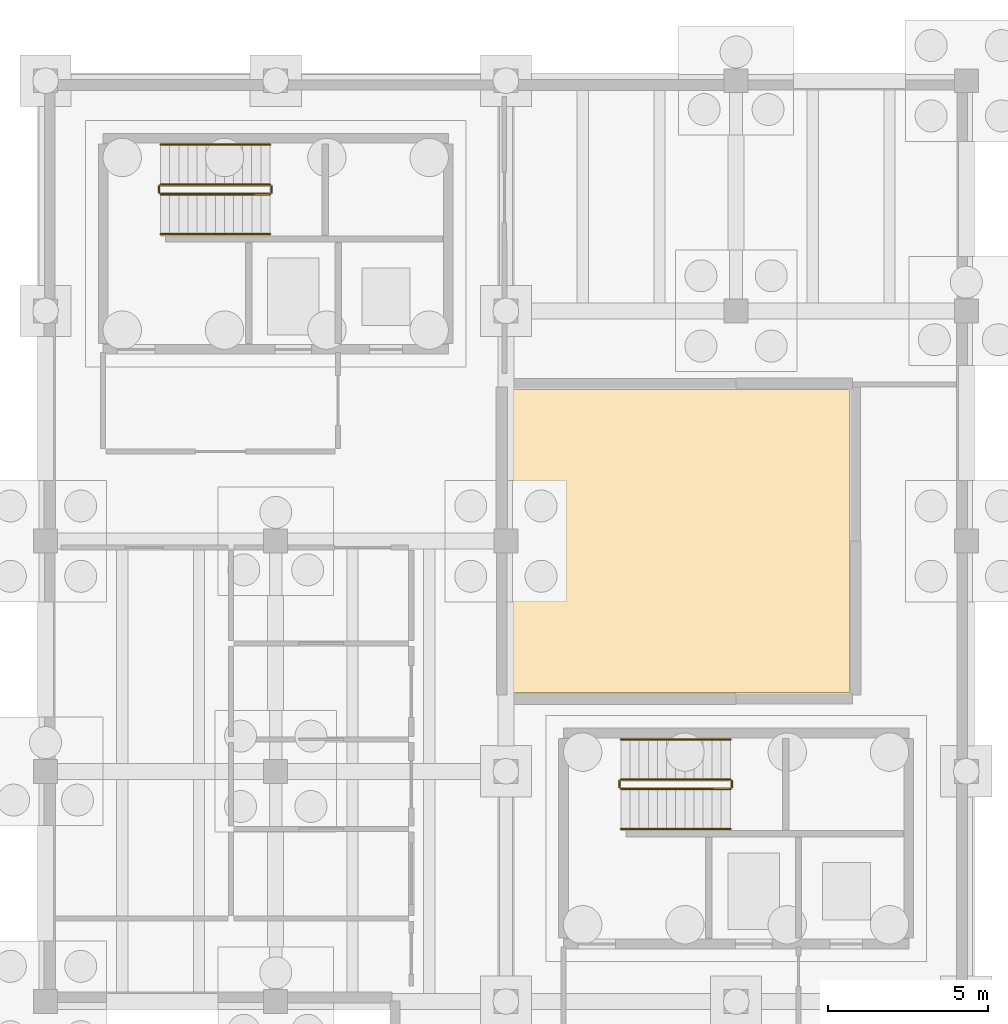
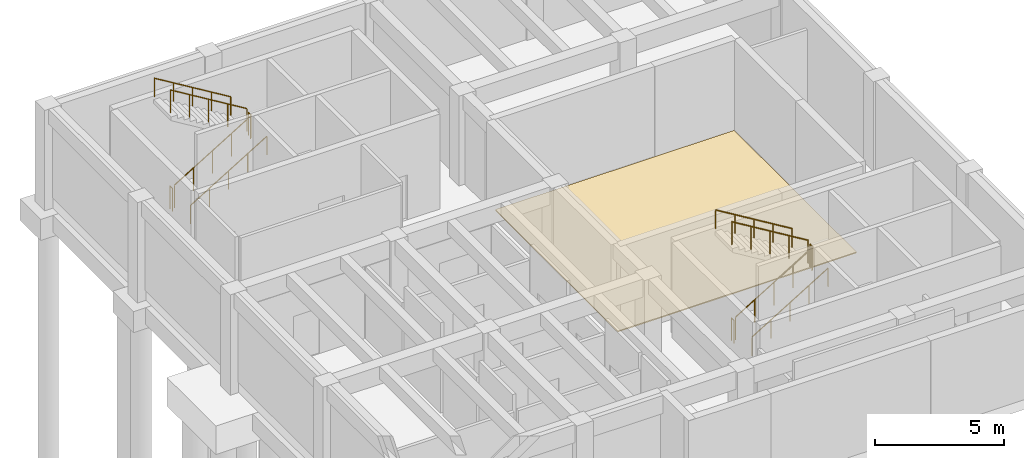
# One storey, part 27 of 28: 12 railings, 1 covering.
"""IFC4 building model written with IfcOpenShell, lengths in metres."""

from ifc_helpers import new_model, si_unit, direction, frame, origin, origin_2d, place, context, subcontext, project, spatial, polyline, circle, outline, extrude, material, layer, layer_set, type_object, element, save


model = new_model("IFC4")

# Units and contexts
model_context = context("Model", 3, precision=1e-05, world=origin(), true_north=direction((0.0, 1.0)))
body_context = subcontext(model_context, "Body", "Model", "MODEL_VIEW")
ifc_project = project(units=[si_unit("LENGTHUNIT", "METRE"), si_unit("AREAUNIT", "SQUARE_METRE"), si_unit("VOLUMEUNIT", "CUBIC_METRE"), si_unit("PLANEANGLEUNIT", "RADIAN"), si_unit("MASSUNIT", "GRAM", prefix="KILO")], contexts=[model_context])

# Site, building, storey
site_placement = place(None, origin())
site = spatial("IfcSite", under=ifc_project, at=site_placement, CompositionType="ELEMENT")
building_placement = place(site_placement, origin())
building = spatial("IfcBuilding", under=site, at=building_placement, Name="Bramvelor Terrace Health Centre", CompositionType="ELEMENT")
storey_placement = place(building_placement, frame((0.0, 0.0, -4.5)))
storey = spatial("IfcBuildingStorey", under=building, at=storey_placement, Name="B1", CompositionType="ELEMENT", Elevation=-4.5)

# Covering
ifc_material_1 = material(Name="Flamed granite plaza paving", Category="masonry")
ifc_layer = layer(ifc_material_1, 0.050048828125)
ifc_layer_set = layer_set([ifc_layer], Name="Flamed granite plaza paving")
covering_type = type_object("IfcCoveringType", Name="COV-PAV-GRAN", PredefinedType="USERDEFINED", material=ifc_layer_set)
covering_placement = place(storey_placement, frame((0.0, 0.0, -0.050048828125)))
element("IfcCovering", 1, at=covering_placement, inside=storey, type_object=covering_type, Name="West Light Court Granite Paving", ObjectType="PAVING", PredefinedType="USERDEFINED", context=body_context, shape_type="SweptSolid", body=[
    extrude(outline(polyline([(14.449951171875, 96.050048828125), (25.14990234375, 96.050048828125), (25.14990234375, 105.550048828125), (14.449951171875, 105.550048828125), (14.449951171875, 96.050048828125)])), origin(), (0.0, 0.0, 1.0), 0.050048828125),
])

# Railings
ifc_material_2 = material(Name="Painted galvanized steel", Category="steel")
railing_type_1 = type_object("IfcRailingType", Name="RLG-GD-1100", PredefinedType="GUARDRAIL", material=ifc_material_2)
railing_1_placement = place(storey_placement, frame((3.60009765625, 111.64990234375, 0.173095703125)))
element("IfcRailing", 2, at=railing_1_placement, inside=storey, type_object=railing_type_1, Name="B1 ST-1 stair guard 1", PredefinedType="GUARDRAIL", context=body_context, shape_type="SweptSolid", body=[
    extrude(circle(Radius=0.02392578125, at=origin_2d()), frame((0.0, 0.0, 1.076171875), z_axis=(0.854729506542, 0.0, 0.519073665916), x_axis=(0.0, 1.0, 0.0)), (0.0, 0.0, 1.0), 4.001220703125),
    extrude(circle(Radius=0.02099609375, at=origin_2d()), origin(), (0.0, 0.0, 1.0), 1.052001953125),
    extrude(circle(Radius=0.02099609375, at=origin_2d()), frame((0.85498046875, 0.0, 0.519287109375)), (0.0, 0.0, 1.0), 1.052001953125),
    extrude(circle(Radius=0.02099609375, at=origin_2d()), frame((1.7099609375, 0.0, 1.03857421875)), (0.0, 0.0, 1.0), 1.052001953125),
    extrude(circle(Radius=0.02099609375, at=origin_2d()), frame((2.56494140625, 0.0, 1.5576171875)), (0.0, 0.0, 1.0), 1.052001953125),
    extrude(circle(Radius=0.02099609375, at=origin_2d()), frame((3.419921875, 0.0, 2.076904296875)), (0.0, 0.0, 1.0), 1.052001953125),
])
railing_2_placement = place(storey_placement, frame((7.070068359375, 111.699951171875, 2.25)))
element("IfcRailing", 3, at=railing_2_placement, inside=storey, type_object=railing_type_1, Name="B1 ST-1 stair guard 2", PredefinedType="GUARDRAIL", context=body_context, shape_type="SweptSolid", body=[
    extrude(circle(Radius=0.02392578125, at=origin_2d()), frame((0.0, 0.0, 1.076171875), z_axis=(0.0, 1.0, 0.0), x_axis=(-1.0, 0.0, 0.0)), (0.0, 0.0, 1.0), 0.199951171875),
    extrude(circle(Radius=0.02099609375, at=origin_2d()), origin(), (0.0, 0.0, 1.0), 1.052001953125),
    extrude(circle(Radius=0.02099609375, at=origin_2d()), frame((0.0, 0.199951171875, 0.0)), (0.0, 0.0, 1.0), 1.052001953125),
])
railing_3_placement = place(storey_placement, frame((7.02001953125, 111.949951171875, 2.423095703125)))
element("IfcRailing", 4, at=railing_3_placement, inside=storey, type_object=railing_type_1, Name="B1 ST-1 stair guard 3", PredefinedType="GUARDRAIL", context=body_context, shape_type="SweptSolid", body=[
    extrude(circle(Radius=0.02392578125, at=origin_2d()), frame((0.0, 0.0, 1.076171875), z_axis=(-0.854729506542, 0.0, 0.519073665916), x_axis=(0.0, -1.0, 0.0)), (0.0, 0.0, 1.0), 4.001220703125),
    extrude(circle(Radius=0.02099609375, at=origin_2d()), origin(), (0.0, 0.0, 1.0), 1.052001953125),
    extrude(circle(Radius=0.02099609375, at=origin_2d()), frame((-0.85498046875, 0.0, 0.519287109375)), (0.0, 0.0, 1.0), 1.052001953125),
    extrude(circle(Radius=0.02099609375, at=origin_2d()), frame((-1.7099609375, 0.0, 1.03857421875)), (0.0, 0.0, 1.0), 1.052001953125),
    extrude(circle(Radius=0.02099609375, at=origin_2d()), frame((-2.56494140625, 0.0, 1.5576171875)), (0.0, 0.0, 1.0), 1.052001953125),
    extrude(circle(Radius=0.02099609375, at=origin_2d()), frame((-3.419921875, 0.0, 2.076904296875)), (0.0, 0.0, 1.0), 1.052001953125),
])
railing_4_placement = place(storey_placement, frame((3.550048828125, 111.699951171875, 0.0)))
element("IfcRailing", 5, at=railing_4_placement, inside=storey, type_object=railing_type_1, Name="B1 ST-1 stair guard 4", PredefinedType="GUARDRAIL", context=body_context, shape_type="SweptSolid", body=[
    extrude(circle(Radius=0.02392578125, at=origin_2d()), frame((0.0, 0.0, 1.076171875), z_axis=(0.0, 1.0, 0.0), x_axis=(-1.0, 0.0, 0.0)), (0.0, 0.0, 1.0), 0.199951171875),
    extrude(circle(Radius=0.02099609375, at=origin_2d()), origin(), (0.0, 0.0, 1.0), 1.052001953125),
    extrude(circle(Radius=0.02099609375, at=origin_2d()), frame((0.0, 0.199951171875, 0.0)), (0.0, 0.0, 1.0), 1.052001953125),
])
railing_5_placement = place(storey_placement, frame((18.0, 93.050048828125, 0.173095703125)))
element("IfcRailing", 6, at=railing_5_placement, inside=storey, type_object=railing_type_1, Name="B1 ST-2 stair guard 1", PredefinedType="GUARDRAIL", context=body_context, shape_type="SweptSolid", body=[
    extrude(circle(Radius=0.02392578125, at=origin_2d()), frame((0.0, 0.0, 1.076171875), z_axis=(0.854729506542, 0.0, 0.519073665916), x_axis=(0.0, 1.0, 0.0)), (0.0, 0.0, 1.0), 4.001220703125),
    extrude(circle(Radius=0.02099609375, at=origin_2d()), origin(), (0.0, 0.0, 1.0), 1.052001953125),
    extrude(circle(Radius=0.02099609375, at=origin_2d()), frame((0.85498046875, 0.0, 0.519287109375)), (0.0, 0.0, 1.0), 1.052001953125),
    extrude(circle(Radius=0.02099609375, at=origin_2d()), frame((1.7099609375, 0.0, 1.03857421875)), (0.0, 0.0, 1.0), 1.052001953125),
    extrude(circle(Radius=0.02099609375, at=origin_2d()), frame((2.56494140625, 0.0, 1.5576171875)), (0.0, 0.0, 1.0), 1.052001953125),
    extrude(circle(Radius=0.02099609375, at=origin_2d()), frame((3.419921875, 0.0, 2.076904296875)), (0.0, 0.0, 1.0), 1.052001953125),
])
railing_6_placement = place(storey_placement, frame((21.469970703125, 93.10009765625, 2.25)))
element("IfcRailing", 7, at=railing_6_placement, inside=storey, type_object=railing_type_1, Name="B1 ST-2 stair guard 2", PredefinedType="GUARDRAIL", context=body_context, shape_type="SweptSolid", body=[
    extrude(circle(Radius=0.02392578125, at=origin_2d()), frame((0.0, 0.0, 1.076171875), z_axis=(0.0, 1.0, 0.0), x_axis=(-1.0, 0.0, 0.0)), (0.0, 0.0, 1.0), 0.199951171875),
    extrude(circle(Radius=0.02099609375, at=origin_2d()), origin(), (0.0, 0.0, 1.0), 1.052001953125),
    extrude(circle(Radius=0.02099609375, at=origin_2d()), frame((0.0, 0.199951171875, 0.0)), (0.0, 0.0, 1.0), 1.052001953125),
])
railing_7_placement = place(storey_placement, frame((21.419921875, 93.35009765625, 2.423095703125)))
element("IfcRailing", 8, at=railing_7_placement, inside=storey, type_object=railing_type_1, Name="B1 ST-2 stair guard 3", PredefinedType="GUARDRAIL", context=body_context, shape_type="SweptSolid", body=[
    extrude(circle(Radius=0.02392578125, at=origin_2d()), frame((0.0, 0.0, 1.076171875), z_axis=(-0.854729506542, 0.0, 0.519073665916), x_axis=(0.0, -1.0, 0.0)), (0.0, 0.0, 1.0), 4.001220703125),
    extrude(circle(Radius=0.02099609375, at=origin_2d()), origin(), (0.0, 0.0, 1.0), 1.052001953125),
    extrude(circle(Radius=0.02099609375, at=origin_2d()), frame((-0.85498046875, 0.0, 0.519287109375)), (0.0, 0.0, 1.0), 1.052001953125),
    extrude(circle(Radius=0.02099609375, at=origin_2d()), frame((-1.7099609375, 0.0, 1.03857421875)), (0.0, 0.0, 1.0), 1.052001953125),
    extrude(circle(Radius=0.02099609375, at=origin_2d()), frame((-2.56494140625, 0.0, 1.5576171875)), (0.0, 0.0, 1.0), 1.052001953125),
    extrude(circle(Radius=0.02099609375, at=origin_2d()), frame((-3.419921875, 0.0, 2.076904296875)), (0.0, 0.0, 1.0), 1.052001953125),
])
railing_8_placement = place(storey_placement, frame((17.949951171875, 93.10009765625, 0.0)))
element("IfcRailing", 9, at=railing_8_placement, inside=storey, type_object=railing_type_1, Name="B1 ST-2 stair guard 4", PredefinedType="GUARDRAIL", context=body_context, shape_type="SweptSolid", body=[
    extrude(circle(Radius=0.02392578125, at=origin_2d()), frame((0.0, 0.0, 1.076171875), z_axis=(0.0, 1.0, 0.0), x_axis=(-1.0, 0.0, 0.0)), (0.0, 0.0, 1.0), 0.199951171875),
    extrude(circle(Radius=0.02099609375, at=origin_2d()), origin(), (0.0, 0.0, 1.0), 1.052001953125),
    extrude(circle(Radius=0.02099609375, at=origin_2d()), frame((0.0, 0.199951171875, 0.0)), (0.0, 0.0, 1.0), 1.052001953125),
])
ifc_material_3 = material(Name="Brushed stainless steel 316", Category="steel")
railing_type_2 = type_object("IfcRailingType", Name="RLG-HR-900", PredefinedType="HANDRAIL", material=ifc_material_3)
railing_9_placement = place(storey_placement, frame((3.60009765625, 110.39990234375, 0.173095703125)))
element("IfcRailing", 10, at=railing_9_placement, inside=storey, type_object=railing_type_2, Name="B1 ST-1 stair handrail 1", PredefinedType="HANDRAIL", context=body_context, shape_type="SweptSolid", body=[
    extrude(circle(Radius=0.02392578125, at=origin_2d()), frame((0.0, 0.0, 0.8759765625), z_axis=(0.854729506542, 0.0, 0.519073665916), x_axis=(0.0, 1.0, 0.0)), (0.0, 0.0, 1.0), 4.001220703125),
    extrude(circle(Radius=0.02099609375, at=origin_2d()), origin(), (0.0, 0.0, 1.0), 0.851806640625),
    extrude(circle(Radius=0.02099609375, at=origin_2d()), frame((0.85498046875, 0.0, 0.519287109375)), (0.0, 0.0, 1.0), 0.851806640625),
    extrude(circle(Radius=0.02099609375, at=origin_2d()), frame((1.7099609375, 0.0, 1.03857421875)), (0.0, 0.0, 1.0), 0.851806640625),
    extrude(circle(Radius=0.02099609375, at=origin_2d()), frame((2.56494140625, 0.0, 1.5576171875)), (0.0, 0.0, 1.0), 0.851806640625),
    extrude(circle(Radius=0.02099609375, at=origin_2d()), frame((3.419921875, 0.0, 2.076904296875)), (0.0, 0.0, 1.0), 0.851806640625),
])
railing_10_placement = place(storey_placement, frame((7.02001953125, 113.199951171875, 2.423095703125)))
element("IfcRailing", 11, at=railing_10_placement, inside=storey, type_object=railing_type_2, Name="B1 ST-1 stair handrail 2", PredefinedType="HANDRAIL", context=body_context, shape_type="SweptSolid", body=[
    extrude(circle(Radius=0.02392578125, at=origin_2d()), frame((0.0, 0.0, 0.8759765625), z_axis=(-0.854729506542, 0.0, 0.519073665916), x_axis=(0.0, -1.0, 0.0)), (0.0, 0.0, 1.0), 4.001220703125),
    extrude(circle(Radius=0.02099609375, at=origin_2d()), origin(), (0.0, 0.0, 1.0), 0.851806640625),
    extrude(circle(Radius=0.02099609375, at=origin_2d()), frame((-0.85498046875, 0.0, 0.519287109375)), (0.0, 0.0, 1.0), 0.851806640625),
    extrude(circle(Radius=0.02099609375, at=origin_2d()), frame((-1.7099609375, 0.0, 1.03857421875)), (0.0, 0.0, 1.0), 0.851806640625),
    extrude(circle(Radius=0.02099609375, at=origin_2d()), frame((-2.56494140625, 0.0, 1.5576171875)), (0.0, 0.0, 1.0), 0.851806640625),
    extrude(circle(Radius=0.02099609375, at=origin_2d()), frame((-3.419921875, 0.0, 2.076904296875)), (0.0, 0.0, 1.0), 0.851806640625),
])
railing_11_placement = place(storey_placement, frame((18.0, 91.800048828125, 0.173095703125)))
element("IfcRailing", 12, at=railing_11_placement, inside=storey, type_object=railing_type_2, Name="B1 ST-2 stair handrail 1", PredefinedType="HANDRAIL", context=body_context, shape_type="SweptSolid", body=[
    extrude(circle(Radius=0.02392578125, at=origin_2d()), frame((0.0, 0.0, 0.8759765625), z_axis=(0.854729506542, 0.0, 0.519073665916), x_axis=(0.0, 1.0, 0.0)), (0.0, 0.0, 1.0), 4.001220703125),
    extrude(circle(Radius=0.02099609375, at=origin_2d()), origin(), (0.0, 0.0, 1.0), 0.851806640625),
    extrude(circle(Radius=0.02099609375, at=origin_2d()), frame((0.85498046875, 0.0, 0.519287109375)), (0.0, 0.0, 1.0), 0.851806640625),
    extrude(circle(Radius=0.02099609375, at=origin_2d()), frame((1.7099609375, 0.0, 1.03857421875)), (0.0, 0.0, 1.0), 0.851806640625),
    extrude(circle(Radius=0.02099609375, at=origin_2d()), frame((2.56494140625, 0.0, 1.5576171875)), (0.0, 0.0, 1.0), 0.851806640625),
    extrude(circle(Radius=0.02099609375, at=origin_2d()), frame((3.419921875, 0.0, 2.076904296875)), (0.0, 0.0, 1.0), 0.851806640625),
])
railing_12_placement = place(storey_placement, frame((21.419921875, 94.60009765625, 2.423095703125)))
element("IfcRailing", 13, at=railing_12_placement, inside=storey, type_object=railing_type_2, Name="B1 ST-2 stair handrail 2", PredefinedType="HANDRAIL", context=body_context, shape_type="SweptSolid", body=[
    extrude(circle(Radius=0.02392578125, at=origin_2d()), frame((0.0, 0.0, 0.8759765625), z_axis=(-0.854729506542, 0.0, 0.519073665916), x_axis=(0.0, -1.0, 0.0)), (0.0, 0.0, 1.0), 4.001220703125),
    extrude(circle(Radius=0.02099609375, at=origin_2d()), origin(), (0.0, 0.0, 1.0), 0.851806640625),
    extrude(circle(Radius=0.02099609375, at=origin_2d()), frame((-0.85498046875, 0.0, 0.519287109375)), (0.0, 0.0, 1.0), 0.851806640625),
    extrude(circle(Radius=0.02099609375, at=origin_2d()), frame((-1.7099609375, 0.0, 1.03857421875)), (0.0, 0.0, 1.0), 0.851806640625),
    extrude(circle(Radius=0.02099609375, at=origin_2d()), frame((-2.56494140625, 0.0, 1.5576171875)), (0.0, 0.0, 1.0), 0.851806640625),
    extrude(circle(Radius=0.02099609375, at=origin_2d()), frame((-3.419921875, 0.0, 2.076904296875)), (0.0, 0.0, 1.0), 0.851806640625),
])

save(model, "model.ifc")
